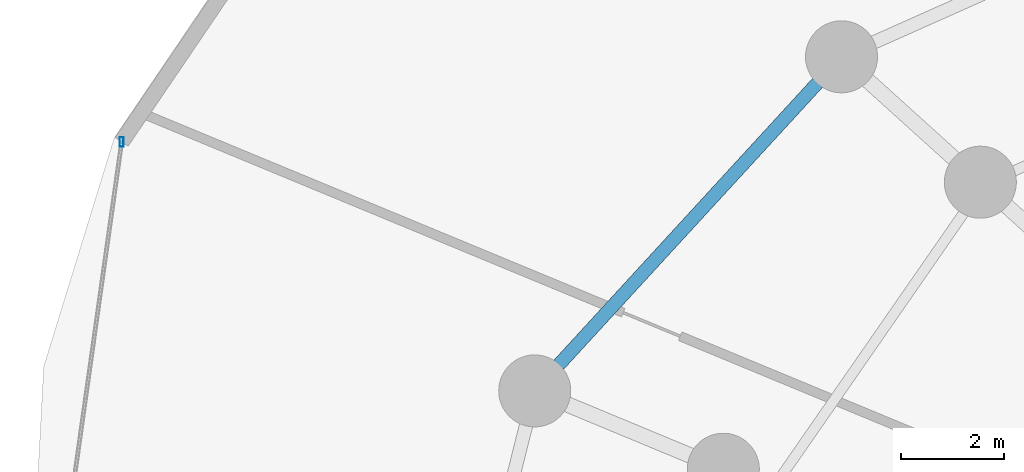
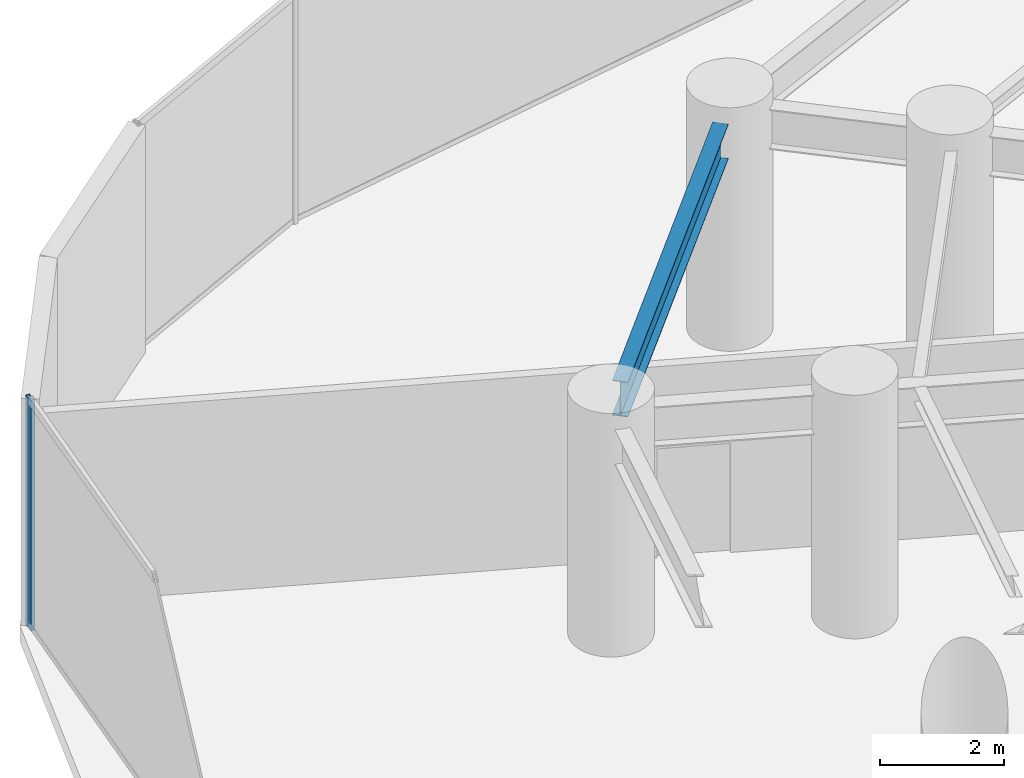
# One storey, part 12 of 26: 1 beam, 1 member, 1 element without a shape of its own.
"""IFC4 building model written with IfcOpenShell, lengths in metres."""

from ifc_helpers import new_model, si_unit, direction, frame, origin, origin_2d, place, context, subcontext, project, spatial, hollow_rectangle, i_section, extrude, material, material_profile, profile_set, type_object, element, aggregate, save


model = new_model("IFC4")

# Units and contexts
model_context = context("Model", 3, precision=1e-05, world=origin(), true_north=direction((0.0, 1.0)))
body_context = subcontext(model_context, "Body", "Model", "MODEL_VIEW")
ifc_project = project(units=[si_unit("LENGTHUNIT", "METRE"), si_unit("AREAUNIT", "SQUARE_METRE"), si_unit("VOLUMEUNIT", "CUBIC_METRE"), si_unit("PLANEANGLEUNIT", "RADIAN"), si_unit("MASSUNIT", "GRAM", prefix="KILO")], contexts=[model_context])

# Site, building, storey
site_placement = place(None, origin())
site = spatial("IfcSite", under=ifc_project, at=site_placement, CompositionType="ELEMENT")
building_placement = place(site_placement, origin())
building = spatial("IfcBuilding", under=site, at=building_placement, Name="Vorneva Point Tower", CompositionType="ELEMENT")
storey_placement = place(building_placement, frame((0.0, 0.0, 14.39990234375)))
storey = spatial("IfcBuildingStorey", under=building, at=storey_placement, Name="L03", CompositionType="ELEMENT", Elevation=14.39990234375)

# Beam
ifc_material_1 = material(Name="Steel S355", Category="steel")
ifc_material_profile_1 = material_profile(ifc_material_1, i_section(OverallWidth=0.260009765625, OverallDepth=0.69091796875, WebThickness=0.011962890625, FlangeThickness=0.015380859375, at=origin_2d()), Name="70B1")
ifc_profile_set_1 = profile_set([ifc_material_profile_1], Name="Steel S355")
beam_type = type_object("IfcBeamType", Name="BM-SPN-70B1", PredefinedType="SPANDREL", material=ifc_profile_set_1)
beam_placement = place(storey_placement, frame((18.539306640625, 40.09521484375, 4.134521484375), z_axis=(-0.676370155457, -0.73656188661, 0.0), x_axis=(0.73656188661, -0.676370155457, 0.0)))
element("IfcBeam", 1, at=beam_placement, inside=storey, type_object=beam_type, Name="L03 Perimeter Spandrel Ring Beam 07", PredefinedType="SPANDREL", context=body_context, shape_type="SweptSolid", body=[
    extrude(i_section(OverallWidth=0.260009765625, OverallDepth=0.69091796875, WebThickness=0.011962890625, FlangeThickness=0.015380859375, at=origin_2d()), origin(), (0.0, 0.0, 1.0), 7.447021484375),
])

# Curtain wall, member
ifc_material_2 = material(Name="Pale anodised aluminium", Category="aluminium")
curtain_wall_type = type_object("IfcCurtainWallType", Name="CW-POD-SYS", PredefinedType="NOTDEFINED", material=ifc_material_2)
curtain_wall_placement = place(storey_placement, origin())
curtain_wall = element("IfcCurtainWall", 2, at=curtain_wall_placement, inside=storey, type_object=curtain_wall_type, Name="L03 Unitised Curtain Wall CW-L03-R03", PredefinedType="NOTDEFINED")
ifc_material_profile_2 = material_profile(ifc_material_2, hollow_rectangle(XDim=0.074951171875, YDim=0.179931640625, WallThickness=0.00390625, at=origin_2d()), Name="AL-MUL 180x75x4")
ifc_profile_set_2 = profile_set([ifc_material_profile_2], Name="Pale anodised aluminium")
member_type = type_object("IfcMemberType", Name="CW-MUL-180", PredefinedType="MULLION", material=ifc_profile_set_2)
member_placement = place(storey_placement, frame((5.009765625, 38.9462890625, -0.039794921875), z_axis=(0.0, 0.0, 1.0), x_axis=(1.0, 0.0, 0.0)))
member = element("IfcMember", 3, at=member_placement, type_object=member_type, Name="CW-L03-R03 Mullion 01", PredefinedType="MULLION", context=body_context, shape_type="SweptSolid", body=[
    extrude(hollow_rectangle(XDim=0.074951171875, YDim=0.179931640625, WallThickness=0.00390625, at=origin_2d()), origin(), (0.0, 0.0, 1.0), 4.5498046875),
])
aggregate(curtain_wall, [member])

save(model, "model.ifc")
